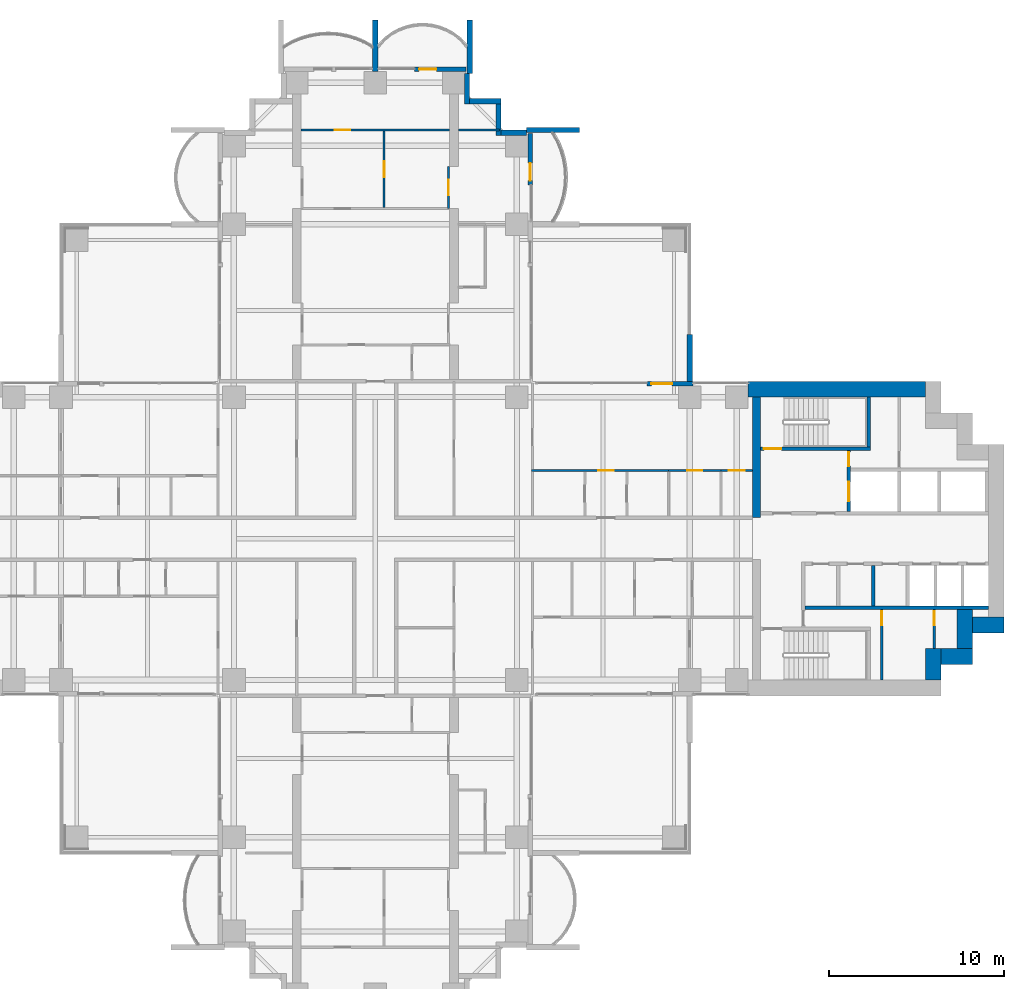
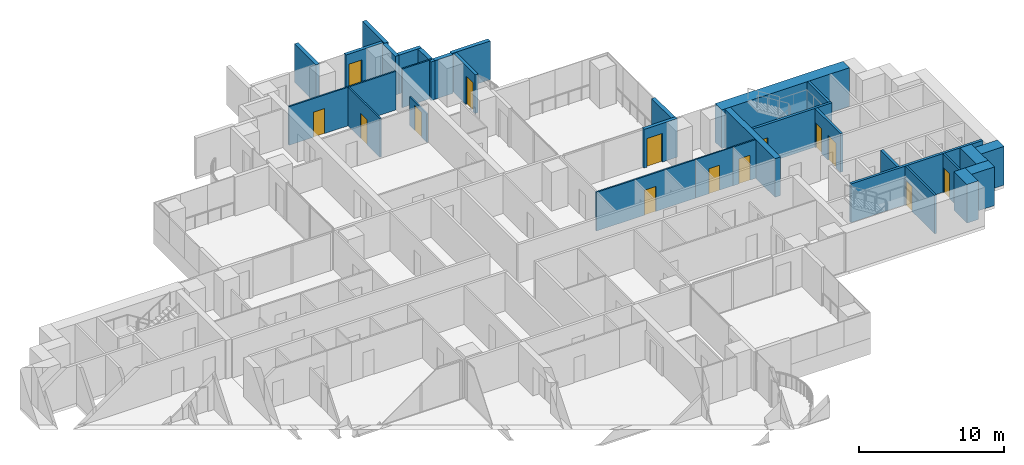
# One storey, part 15 of 20: 31 walls, 14 doors, 14 openings.
"""IFC4 building model written with IfcOpenShell, lengths in metres."""

from ifc_helpers import new_model, si_unit, direction, frame, frame_2d, origin, place, context, subcontext, project, spatial, rectangle, extrude, material, layer, layer_set, type_object, element, fill, save


model = new_model("IFC4")

# Units and contexts
model_context = context("Model", 3, precision=1e-05, world=origin(), true_north=direction((0.0, 1.0)))
body_context = subcontext(model_context, "Body", "Model", "MODEL_VIEW")
ifc_project = project(units=[si_unit("LENGTHUNIT", "METRE"), si_unit("AREAUNIT", "SQUARE_METRE"), si_unit("VOLUMEUNIT", "CUBIC_METRE"), si_unit("PLANEANGLEUNIT", "RADIAN"), si_unit("MASSUNIT", "GRAM", prefix="KILO")], contexts=[model_context])

# Site, building, storey
site_placement = place(None, origin())
site = spatial("IfcSite", under=ifc_project, at=site_placement, CompositionType="ELEMENT")
building_placement = place(site_placement, origin())
building = spatial("IfcBuilding", under=site, at=building_placement, Name="Perihelion Cross Residences", CompositionType="ELEMENT")
storey_placement = place(building_placement, frame((0.0, 0.0, 78.5)))
storey = spatial("IfcBuildingStorey", under=building, at=storey_placement, Name="L17", CompositionType="ELEMENT", Elevation=78.5)

# Wall, opening, door
ifc_material_1 = material(Name="Concrete C30/37, bronze-clad", Category="concrete")
ifc_layer_1 = layer(ifc_material_1, 0.25)
ifc_layer_set_1 = layer_set([ifc_layer_1], Name="Bronze-clad pier wall 250")
wall_type_1 = type_object("IfcWallType", Name="Bronze-clad pier wall 250", PredefinedType="SOLIDWALL", material=ifc_layer_set_1)
wall_1_placement = place(storey_placement, frame((18.199951171875, 8.875, 0.0), z_axis=(0.0, 0.0, 1.0), x_axis=(-1.0, 0.0, 0.0)))
wall_1 = element("IfcWall", 1, at=wall_1_placement, inside=storey, type_object=wall_type_1, Name="Wall FW1 L17 east side north bay 2 pier", PredefinedType="SOLIDWALL", context=body_context, shape_type="SweptSolid", body=[
    extrude(rectangle(XDim=2.64990234375, YDim=0.25, at=frame_2d((1.324951171875, 0.0))), origin(), (0.0, 0.0, 1.0), 3.25),
])
opening_1_placement = place(wall_1_placement, frame((1.199951171875, 0.0, 0.0)))
opening_1 = element("IfcOpeningElement", 2, at=opening_1_placement, cuts=wall_1, Name="Opening L17.E01", PredefinedType="OPENING", context=body_context, shape_type="SweptSolid", body=[
    extrude(rectangle(XDim=1.199951171875, YDim=2.39990234375, at=frame_2d((0.60009765625, 1.199951171875))), frame((0.0, 0.135009765625, 0.0), z_axis=(0.0, -1.0, 0.0), x_axis=(1.0, 0.0, 0.0)), (0.0, 0.0, 1.0), 0.27001953125),
])
ifc_material_2 = material(Name="Bronze anodised aluminium, glazed", Category="aluminium")
door_type_1 = type_object("IfcDoorType", Name="Balcony door 1200 x 2400", OperationType="NOTDEFINED", PredefinedType="DOOR", material=ifc_material_2)
door_1_placement = place(opening_1_placement, origin())
door_1 = element("IfcDoor", 3, at=door_1_placement, inside=storey, type_object=door_type_1, Name="Door L17.E01 east side north bay 2", OperationType="SINGLE_SWING_RIGHT", OverallHeight=2.39990234375, OverallWidth=1.199951171875, PredefinedType="DOOR", context=body_context, shape_type="SweptSolid", body=[
    extrude(rectangle(XDim=1.199951171875, YDim=2.39990234375, at=frame_2d((0.60009765625, 1.199951171875))), frame((0.0, 0.02490234375, 0.0), z_axis=(0.0, -1.0, 0.0), x_axis=(1.0, 0.0, 0.0)), (0.0, 0.0, 1.0), 0.050048828125),
])
fill(opening_1, door_1)

wall_2_placement = place(storey_placement, frame((8.875, 20.25, 0.0), z_axis=(0.0, 0.0, 1.0), x_axis=(0.0, 1.0, 0.0)))
wall_2 = element("IfcWall", 4, at=wall_2_placement, inside=storey, type_object=wall_type_1, Name="Wall FW1 L17 north side east bay 2 pier", PredefinedType="SOLIDWALL", context=body_context, shape_type="SweptSolid", body=[
    extrude(rectangle(XDim=2.949951171875, YDim=0.25, at=frame_2d((1.47509765625, 0.0))), origin(), (0.0, 0.0, 1.0), 3.25),
])
opening_2_placement = place(wall_2_placement, frame((0.25, 0.0, 0.0)))
opening_2 = element("IfcOpeningElement", 5, at=opening_2_placement, cuts=wall_2, Name="Opening L17.E03", PredefinedType="OPENING", context=body_context, shape_type="SweptSolid", body=[
    extrude(rectangle(XDim=1.0, YDim=2.39990234375, at=frame_2d((0.5, 1.199951171875))), frame((0.0, 0.135009765625, 0.0), z_axis=(0.0, -1.0, 0.0), x_axis=(1.0, 0.0, 0.0)), (0.0, 0.0, 1.0), 0.27001953125),
])
ifc_material_3 = material(Name="Bronze anodised aluminium, glazed", Category="aluminium")
door_type_2 = type_object("IfcDoorType", Name="Balcony door 1000 x 2400", OperationType="NOTDEFINED", PredefinedType="DOOR", material=ifc_material_3)
door_2_placement = place(opening_2_placement, origin())
door_2 = element("IfcDoor", 6, at=door_2_placement, inside=storey, type_object=door_type_2, Name="Door L17.E03 north side east bay 2", OperationType="SINGLE_SWING_RIGHT", OverallHeight=2.39990234375, OverallWidth=1.0, PredefinedType="DOOR", context=body_context, shape_type="SweptSolid", body=[
    extrude(rectangle(XDim=1.0, YDim=2.39990234375, at=frame_2d((0.5, 1.199951171875))), frame((0.0, 0.02490234375, 0.0), z_axis=(0.0, -1.0, 0.0), x_axis=(1.0, 0.0, 0.0)), (0.0, 0.0, 1.0), 0.050048828125),
])
fill(opening_2, door_2)

wall_3_placement = place(storey_placement, frame((5.199951171875, 26.875, 0.0), z_axis=(0.0, 0.0, 1.0), x_axis=(-1.0, 0.0, 0.0)))
wall_3 = element("IfcWall", 7, at=wall_3_placement, inside=storey, type_object=wall_type_1, Name="Wall FW1 L17 north tip north bay 1 pier", PredefinedType="SOLIDWALL", context=body_context, shape_type="SweptSolid", body=[
    extrude(rectangle(XDim=2.949951171875, YDim=0.25, at=frame_2d((1.47509765625, 0.0))), origin(), (0.0, 0.0, 1.0), 3.25),
])
opening_3_placement = place(wall_3_placement, frame((1.699951171875, 0.0, 0.0)))
opening_3 = element("IfcOpeningElement", 8, at=opening_3_placement, cuts=wall_3, Name="Opening L17.E04", PredefinedType="OPENING", context=body_context, shape_type="SweptSolid", body=[
    extrude(rectangle(XDim=1.0, YDim=2.39990234375, at=frame_2d((0.5, 1.199951171875))), frame((0.0, 0.135009765625, 0.0), z_axis=(0.0, -1.0, 0.0), x_axis=(1.0, 0.0, 0.0)), (0.0, 0.0, 1.0), 0.27001953125),
])
door_3_placement = place(opening_3_placement, origin())
door_3 = element("IfcDoor", 9, at=door_3_placement, inside=storey, type_object=door_type_2, Name="Door L17.E04 north tip north bay 1", OperationType="SINGLE_SWING_LEFT", OverallHeight=2.39990234375, OverallWidth=1.0, PredefinedType="DOOR", context=body_context, shape_type="SweptSolid", body=[
    extrude(rectangle(XDim=1.0, YDim=2.39990234375, at=frame_2d((0.5, 1.199951171875))), frame((0.0, 0.02490234375, 0.0), z_axis=(0.0, -1.0, 0.0), x_axis=(1.0, 0.0, 0.0)), (0.0, 0.0, 1.0), 0.050048828125),
])
fill(opening_3, door_3)

# Walls
ifc_material_4 = material(Name="Concrete C30/37, bronze-clad", Category="concrete")
ifc_layer_2 = layer(ifc_material_4, 0.300048828125)
ifc_layer_set_2 = layer_set([ifc_layer_2], Name="Bronze-clad serration wall 300")
wall_type_2 = type_object("IfcWallType", Name="Bronze-clad serration wall 300", PredefinedType="SOLIDWALL", material=ifc_layer_set_2)
wall_4_placement = place(storey_placement, frame((8.64990234375, 23.25, 0.0), z_axis=(0.0, 0.0, 1.0), x_axis=(-1.0, 0.0, 0.0)))
element("IfcWall", 10, at=wall_4_placement, inside=storey, type_object=wall_type_2, Name="Wall SR1 L17 north corner north-east 1", PredefinedType="SOLIDWALL", context=body_context, shape_type="SweptSolid", body=[
    extrude(rectangle(XDim=1.449951171875, YDim=0.300048828125, at=frame_2d((0.72509765625, 0.0))), origin(), (0.0, 0.0, 1.0), 3.25),
])
wall_5_placement = place(storey_placement, frame((7.050048828125, 23.10009765625, 0.0), z_axis=(0.0, 0.0, 1.0), x_axis=(0.0, 1.0, 0.0)))
element("IfcWall", 11, at=wall_5_placement, inside=storey, type_object=wall_type_2, Name="Wall SR1 L17 north corner north-east 2", PredefinedType="SOLIDWALL", context=body_context, shape_type="SweptSolid", body=[
    extrude(rectangle(XDim=1.7998046875, YDim=0.300048828125, at=frame_2d((0.89990234375, 0.0))), origin(), (0.0, 0.0, 1.0), 3.25),
])
wall_6_placement = place(storey_placement, frame((7.199951171875, 25.050048828125, 0.0), z_axis=(0.0, 0.0, 1.0), x_axis=(-1.0, 0.0, 0.0)))
element("IfcWall", 12, at=wall_6_placement, inside=storey, type_object=wall_type_2, Name="Wall SR1 L17 north corner north-east 3", PredefinedType="SOLIDWALL", context=body_context, shape_type="SweptSolid", body=[
    extrude(rectangle(XDim=1.800048828125, YDim=0.300048828125, at=frame_2d((0.89990234375, 0.0))), origin(), (0.0, 0.0, 1.0), 3.25),
])
wall_7_placement = place(storey_placement, frame((5.25, 24.89990234375, 0.0), z_axis=(0.0, 0.0, 1.0), x_axis=(0.0, 1.0, 0.0)))
element("IfcWall", 13, at=wall_7_placement, inside=storey, type_object=wall_type_2, Name="Wall SR1 L17 north corner north-east 4", PredefinedType="SOLIDWALL", context=body_context, shape_type="SweptSolid", body=[
    extrude(rectangle(XDim=1.75, YDim=0.300048828125, at=frame_2d((0.875, 0.0))), origin(), (0.0, 0.0, 1.0), 3.25),
])
ifc_material_5 = material(Name="Concrete C60/75", Category="concrete")
ifc_layer_3 = layer(ifc_material_5, 0.449951171875)
ifc_layer_set_3 = layer_set([ifc_layer_3], Name="Core wall, inner 450")
wall_type_3 = type_object("IfcWallType", Name="Core wall, inner 450", PredefinedType="SHEAR", material=ifc_layer_set_3)
wall_8_placement = place(storey_placement, frame((21.824951171875, 1.199951171875, 0.0), z_axis=(0.0, 0.0, 1.0), x_axis=(0.0, 1.0, 0.0)))
element("IfcWall", 14, at=wall_8_placement, inside=storey, type_object=wall_type_3, Name="East core core wall, inner", PredefinedType="SHEAR", context=body_context, shape_type="SweptSolid", body=[
    extrude(rectangle(XDim=6.900146484375, YDim=0.449951171875, at=frame_2d((3.4501953125, 0.0))), origin(), (0.0, 0.0, 1.0), 3.25),
])
ifc_material_6 = material(Name="Concrete C60/75", Category="concrete")
ifc_layer_4 = layer(ifc_material_6, 0.89990234375)
ifc_layer_set_4 = layer_set([ifc_layer_4], Name="Core wall, outer 900")
wall_type_4 = type_object("IfcWallType", Name="Core wall, outer 900", PredefinedType="SHEAR", material=ifc_layer_set_4)
for number, where, z_axis, x_axis, name in (
    (15, (31.949951171875, -8.10009765625, 0.0), (0.0, 0.0, 1.0), (0.0, 1.0, 0.0), "East core core wall, outer"),
    (16, (32.39990234375, -6.75, 0.0), (0.0, 0.0, 1.0), (1.0, 0.0, 0.0), "East core core wall, outer"),
):
    element("IfcWall", number, at=place(storey_placement, frame(where, z_axis=z_axis, x_axis=x_axis)), inside=storey, type_object=wall_type_4, Name=name, PredefinedType="SHEAR", context=body_context, shape_type="SweptSolid", body=[
        extrude(rectangle(XDim=1.800048828125, YDim=0.89990234375, at=frame_2d((0.89990234375, 0.0))), origin(), (0.0, 0.0, 1.0), 3.25),
    ])
wall_9_placement = place(storey_placement, frame((33.75, -6.300048828125, 0.0), z_axis=(0.0, 0.0, 1.0), x_axis=(0.0, 1.0, 0.0)))
element("IfcWall", 17, at=wall_9_placement, inside=storey, type_object=wall_type_4, Name="East core core wall, outer", PredefinedType="SHEAR", context=body_context, shape_type="SweptSolid", body=[
    extrude(rectangle(XDim=2.25, YDim=0.89990234375, at=frame_2d((1.125, 0.0))), origin(), (0.0, 0.0, 1.0), 3.25),
])
wall_10_placement = place(storey_placement, frame((34.199951171875, -4.949951171875, 0.0), z_axis=(0.0, 0.0, 1.0), x_axis=(1.0, 0.0, 0.0)))
element("IfcWall", 18, at=wall_10_placement, inside=storey, type_object=wall_type_4, Name="East core core wall, outer", PredefinedType="SHEAR", context=body_context, shape_type="SweptSolid", body=[
    extrude(rectangle(XDim=1.800048828125, YDim=0.89990234375, at=frame_2d((0.89990234375, 0.0))), origin(), (0.0, 0.0, 1.0), 3.25),
])
wall_11_placement = place(storey_placement, frame((21.35009765625, 8.550048828125, 0.0), z_axis=(0.0, 0.0, 1.0), x_axis=(1.0, 0.0, 0.0)))
element("IfcWall", 19, at=wall_11_placement, inside=storey, type_object=wall_type_4, Name="East core core wall, outer", PredefinedType="SHEAR", context=body_context, shape_type="SweptSolid", body=[
    extrude(rectangle(XDim=10.14990234375, YDim=0.89990234375, at=frame_2d((5.074951171875, 0.0))), origin(), (0.0, 0.0, 1.0), 3.25),
])

# Wall, opening, door
ifc_material_7 = material(Name="Plasterboard partition")
ifc_layer_5 = layer(ifc_material_7, 0.1201171875)
ifc_layer_set_5 = layer_set([ifc_layer_5], Name="Infill panel 120")
wall_type_5 = type_object("IfcWallType", Name="Infill panel 120", PredefinedType="PARTITIONING", material=ifc_layer_set_5)
wall_12_placement = place(storey_placement, frame((4.18994140625, 18.89990234375, 0.0), z_axis=(0.0, 0.0, 1.0), x_axis=(0.0, 1.0, 0.0)))
wall_12 = element("IfcWall", 20, at=wall_12_placement, inside=storey, type_object=wall_type_5, Name="Partition L17 WI02", PredefinedType="PARTITIONING", context=body_context, shape_type="SweptSolid", body=[
    extrude(rectangle(XDim=2.400146484375, YDim=0.1201171875, at=frame_2d((1.2001953125, 0.0))), origin(), (0.0, 0.0, 1.0), 2.39990234375),
])
opening_4_placement = place(wall_12_placement, frame((0.75, 0.0, 0.0)))
opening_4 = element("IfcOpeningElement", 21, at=opening_4_placement, cuts=wall_12, Name="Opening L17.A50", PredefinedType="OPENING", context=body_context, shape_type="SweptSolid", body=[
    extrude(rectangle(XDim=0.89990234375, YDim=2.10009765625, at=frame_2d((0.449951171875, 1.050048828125))), frame((0.0, 0.070068359375, 0.0), z_axis=(0.0, -1.0, 0.0), x_axis=(1.0, 0.0, 0.0)), (0.0, 0.0, 1.0), 0.14013671875),
])
ifc_material_8 = material(Name="Timber door leaf", Category="wood")
door_type_3 = type_object("IfcDoorType", Name="Interior room door 900 x 2100", OperationType="SINGLE_SWING_LEFT", PredefinedType="DOOR", material=ifc_material_8)
door_4_placement = place(opening_4_placement, origin())
door_4 = element("IfcDoor", 22, at=door_4_placement, inside=storey, type_object=door_type_3, Name="Door L17.A50", OperationType="SINGLE_SWING_RIGHT", OverallHeight=2.10009765625, OverallWidth=0.89990234375, PredefinedType="DOOR", context=body_context, shape_type="SweptSolid", body=[
    extrude(rectangle(XDim=0.89990234375, YDim=2.10009765625, at=frame_2d((0.449951171875, 1.050048828125))), frame((0.0, 0.02490234375, 0.0), z_axis=(0.0, -1.0, 0.0), x_axis=(1.0, 0.0, 0.0)), (0.0, 0.0, 1.0), 0.050048828125),
])
fill(opening_4, door_4)

ifc_material_9 = material(Name="Plasterboard partition")
ifc_layer_6 = layer(ifc_material_9, 0.1201171875)
ifc_layer_set_6 = layer_set([ifc_layer_6], Name="Partition wall 120")
wall_type_6 = type_object("IfcWallType", Name="Partition wall 120", PredefinedType="PARTITIONING", material=ifc_layer_set_6)
wall_13_placement = place(storey_placement, frame((8.93994140625, 3.89990234375, 0.0), z_axis=(0.0, 0.0, 1.0), x_axis=(1.0, 0.0, 0.0)))
wall_13 = element("IfcWall", 23, at=wall_13_placement, inside=storey, type_object=wall_type_6, Name="Partition L17 W012", PredefinedType="PARTITIONING", context=body_context, shape_type="SweptSolid", body=[
    extrude(rectangle(XDim=7.860107421875, YDim=0.1201171875, at=frame_2d((3.93017578125, 0.0))), origin(), (0.0, 0.0, 1.0), 3.25),
])
opening_5_placement = place(wall_13_placement, frame((3.81005859375, 0.0, 0.0)))
opening_5 = element("IfcOpeningElement", 24, at=opening_5_placement, cuts=wall_13, Name="Opening L17.A05", PredefinedType="OPENING", context=body_context, shape_type="SweptSolid", body=[
    extrude(rectangle(XDim=0.89990234375, YDim=2.10009765625, at=frame_2d((0.449951171875, 1.050048828125))), frame((0.0, 0.070068359375, 0.0), z_axis=(0.0, -1.0, 0.0), x_axis=(1.0, 0.0, 0.0)), (0.0, 0.0, 1.0), 0.14013671875),
])
door_5_placement = place(opening_5_placement, origin())
door_5 = element("IfcDoor", 25, at=door_5_placement, inside=storey, type_object=door_type_3, Name="Door L17.A05", OperationType="SINGLE_SWING_RIGHT", OverallHeight=2.10009765625, OverallWidth=0.89990234375, PredefinedType="DOOR", context=body_context, shape_type="SweptSolid", body=[
    extrude(rectangle(XDim=0.89990234375, YDim=2.10009765625, at=frame_2d((0.449951171875, 1.050048828125))), frame((0.0, 0.02490234375, 0.0), z_axis=(0.0, -1.0, 0.0), x_axis=(1.0, 0.0, 0.0)), (0.0, 0.0, 1.0), 0.050048828125),
])
fill(opening_5, door_5)

wall_14_placement = place(storey_placement, frame((19.800048828125, 3.89990234375, 0.0), z_axis=(0.0, 0.0, 1.0), x_axis=(1.0, 0.0, 0.0)))
wall_14 = element("IfcWall", 26, at=wall_14_placement, inside=storey, type_object=wall_type_6, Name="Partition L17 W018", PredefinedType="PARTITIONING", context=body_context, shape_type="SweptSolid", body=[
    extrude(rectangle(XDim=1.800048828125, YDim=0.1201171875, at=frame_2d((0.89990234375, 0.0))), origin(), (0.0, 0.0, 1.0), 3.25),
])
opening_6_placement = place(wall_14_placement, frame((0.449951171875, 0.0, 0.0)))
opening_6 = element("IfcOpeningElement", 27, at=opening_6_placement, cuts=wall_14, Name="Opening L17.A04", PredefinedType="OPENING", context=body_context, shape_type="SweptSolid", body=[
    extrude(rectangle(XDim=0.89990234375, YDim=2.10009765625, at=frame_2d((0.449951171875, 1.050048828125))), frame((0.0, 0.070068359375, 0.0), z_axis=(0.0, -1.0, 0.0), x_axis=(1.0, 0.0, 0.0)), (0.0, 0.0, 1.0), 0.14013671875),
])
door_6_placement = place(opening_6_placement, origin())
door_6 = element("IfcDoor", 28, at=door_6_placement, inside=storey, type_object=door_type_3, Name="Door L17.A04", OperationType="SINGLE_SWING_LEFT", OverallHeight=2.10009765625, OverallWidth=0.89990234375, PredefinedType="DOOR", context=body_context, shape_type="SweptSolid", body=[
    extrude(rectangle(XDim=0.89990234375, YDim=2.10009765625, at=frame_2d((0.449951171875, 1.050048828125))), frame((0.0, 0.02490234375, 0.0), z_axis=(0.0, -1.0, 0.0), x_axis=(1.0, 0.0, 0.0)), (0.0, 0.0, 1.0), 0.050048828125),
])
fill(opening_6, door_6)

wall_15_placement = place(storey_placement, frame((0.5, 23.340087890625, 0.0), z_axis=(0.0, 0.0, 1.0), x_axis=(0.0, -1.0, 0.0)))
wall_15 = element("IfcWall", 29, at=wall_15_placement, inside=storey, type_object=wall_type_6, Name="Partition L17 W052", PredefinedType="PARTITIONING", context=body_context, shape_type="SweptSolid", body=[
    extrude(rectangle(XDim=4.380126953125, YDim=0.1201171875, at=frame_2d((2.18994140625, 0.0))), origin(), (0.0, 0.0, 1.0), 3.25),
])
opening_7_placement = place(wall_15_placement, frame((1.739990234375, 0.0, 0.0)))
opening_7 = element("IfcOpeningElement", 30, at=opening_7_placement, cuts=wall_15, Name="Opening L17.A35", PredefinedType="OPENING", context=body_context, shape_type="SweptSolid", body=[
    extrude(rectangle(XDim=0.89990234375, YDim=2.10009765625, at=frame_2d((0.449951171875, 1.050048828125))), frame((0.0, 0.070068359375, 0.0), z_axis=(0.0, -1.0, 0.0), x_axis=(1.0, 0.0, 0.0)), (0.0, 0.0, 1.0), 0.14013671875),
])
door_7_placement = place(opening_7_placement, origin())
door_7 = element("IfcDoor", 31, at=door_7_placement, inside=storey, type_object=door_type_3, Name="Door L17.A35", OperationType="SINGLE_SWING_RIGHT", OverallHeight=2.10009765625, OverallWidth=0.89990234375, PredefinedType="DOOR", context=body_context, shape_type="SweptSolid", body=[
    extrude(rectangle(XDim=0.89990234375, YDim=2.10009765625, at=frame_2d((0.449951171875, 1.050048828125))), frame((0.0, 0.02490234375, 0.0), z_axis=(0.0, -1.0, 0.0), x_axis=(1.0, 0.0, 0.0)), (0.0, 0.0, 1.0), 0.050048828125),
])
fill(opening_7, door_7)

wall_16_placement = place(storey_placement, frame((-4.25, 23.39990234375, 0.0), z_axis=(0.0, 0.0, 1.0), x_axis=(1.0, 0.0, 0.0)))
wall_16 = element("IfcWall", 32, at=wall_16_placement, inside=storey, type_object=wall_type_6, Name="Partition L17 W053", PredefinedType="PARTITIONING", context=body_context, shape_type="SweptSolid", body=[
    extrude(rectangle(XDim=8.5, YDim=0.1201171875, at=frame_2d((4.25, 0.0))), origin(), (0.0, 0.0, 1.0), 3.25),
])
opening_8_placement = place(wall_16_placement, frame((1.925048828125, 0.0, 0.0)))
opening_8 = element("IfcOpeningElement", 33, at=opening_8_placement, cuts=wall_16, Name="Opening L17.A36", PredefinedType="OPENING", context=body_context, shape_type="SweptSolid", body=[
    extrude(rectangle(XDim=0.89990234375, YDim=2.10009765625, at=frame_2d((0.449951171875, 1.050048828125))), frame((0.0, 0.070068359375, 0.0), z_axis=(0.0, -1.0, 0.0), x_axis=(1.0, 0.0, 0.0)), (0.0, 0.0, 1.0), 0.14013671875),
])
door_8_placement = place(opening_8_placement, origin())
door_8 = element("IfcDoor", 34, at=door_8_placement, inside=storey, type_object=door_type_3, Name="Door L17.A36", OperationType="SINGLE_SWING_RIGHT", OverallHeight=2.10009765625, OverallWidth=0.89990234375, PredefinedType="DOOR", context=body_context, shape_type="SweptSolid", body=[
    extrude(rectangle(XDim=0.89990234375, YDim=2.10009765625, at=frame_2d((0.449951171875, 1.050048828125))), frame((0.0, 0.02490234375, 0.0), z_axis=(0.0, -1.0, 0.0), x_axis=(1.0, 0.0, 0.0)), (0.0, 0.0, 1.0), 0.050048828125),
])
fill(opening_8, door_8)

# Walls
wall_17_placement = place(storey_placement, frame((4.75, 23.39990234375, 0.0), z_axis=(0.0, 0.0, 1.0), x_axis=(1.0, 0.0, 0.0)))
element("IfcWall", 35, at=wall_17_placement, inside=storey, type_object=wall_type_6, Name="Partition L17 W058", PredefinedType="PARTITIONING", context=body_context, shape_type="SweptSolid", body=[
    extrude(rectangle(XDim=2.3701171875, YDim=0.1201171875, at=frame_2d((1.18505859375, 0.0))), origin(), (0.0, 0.0, 1.0), 3.25),
])
ifc_material_10 = material(Name="Precast concrete C50/60", Category="concrete")
ifc_layer_7 = layer(ifc_material_10, 0.300048828125)
ifc_layer_set_7 = layer_set([ifc_layer_7], Name="Precast concrete C50/60 blade wall 300")
wall_type_7 = type_object("IfcWallType", Name="Precast concrete C50/60 blade wall 300", PredefinedType="SOLIDWALL", material=ifc_layer_set_7)
wall_18_placement = place(storey_placement, frame((0.0, 26.75, 0.0), z_axis=(0.0, 0.0, 1.0), x_axis=(0.0, 1.0, 0.0)))
element("IfcWall", 36, at=wall_18_placement, inside=storey, type_object=wall_type_7, Name="Wall BL1 L17 no. 10", PredefinedType="SOLIDWALL", context=body_context, shape_type="SweptSolid", body=[
    extrude(rectangle(XDim=2.949951171875, YDim=0.300048828125, at=frame_2d((1.47509765625, 0.0))), origin(), (0.0, 0.0, 1.0), 3.25),
])
for number, where, z_axis, x_axis, name in (
    (37, (5.39990234375, 26.64990234375, 0.0), (0.0, 0.0, 1.0), (0.0, 1.0, 0.0), "Wall BL1 L17 no. 14"),
    (38, (8.64990234375, 23.39990234375, 0.0), (0.0, 0.0, 1.0), (1.0, 0.0, 0.0), "Wall BL1 L17 no. 18"),
):
    element("IfcWall", number, at=place(storey_placement, frame(where, z_axis=z_axis, x_axis=x_axis)), inside=storey, type_object=wall_type_7, Name=name, PredefinedType="SOLIDWALL", context=body_context, shape_type="SweptSolid", body=[
        extrude(rectangle(XDim=3.050048828125, YDim=0.300048828125, at=frame_2d((1.52490234375, 0.0))), origin(), (0.0, 0.0, 1.0), 3.25),
    ])
wall_19_placement = place(storey_placement, frame((18.0, 8.75, 0.0), z_axis=(0.0, 0.0, 1.0), x_axis=(0.0, 1.0, 0.0)))
element("IfcWall", 39, at=wall_19_placement, inside=storey, type_object=wall_type_7, Name="Wall BL1 L17 no. 12", PredefinedType="SOLIDWALL", context=body_context, shape_type="SweptSolid", body=[
    extrude(rectangle(XDim=2.949951171875, YDim=0.300048828125, at=frame_2d((1.47509765625, 0.0))), origin(), (0.0, 0.0, 1.0), 3.25),
])

# Wall, opening, door
ifc_material_11 = material(Name="Fire-rated board on steel stud", Category="steel")
ifc_layer_8 = layer(ifc_material_11, 0.14990234375)
ifc_layer_set_8 = layer_set([ifc_layer_8], Name="Riser wall 150")
wall_type_8 = type_object("IfcWallType", Name="Riser wall 150", PredefinedType="PARTITIONING", material=ifc_layer_set_8)
wall_20_placement = place(storey_placement, frame((29.0, -8.10009765625, 0.0), z_axis=(0.0, 0.0, 1.0), x_axis=(0.0, 1.0, 0.0)))
wall_20 = element("IfcWall", 40, at=wall_20_placement, inside=storey, type_object=wall_type_8, Name="East core riser wall", PredefinedType="PARTITIONING", context=body_context, shape_type="SweptSolid", body=[
    extrude(rectangle(XDim=4.050048828125, YDim=0.14990234375, at=frame_2d((2.02490234375, 0.0))), origin(), (0.0, 0.0, 1.0), 3.25),
])
opening_9_placement = place(wall_20_placement, frame((3.14990234375, 0.0, 0.0)))
opening_9 = element("IfcOpeningElement", 41, at=opening_9_placement, cuts=wall_20, Name="Opening L17.C13", PredefinedType="OPENING", context=body_context, shape_type="SweptSolid", body=[
    extrude(rectangle(XDim=0.800048828125, YDim=2.10009765625, at=frame_2d((0.39990234375, 1.050048828125))), frame((0.0, 0.0849609375, 0.0), z_axis=(0.0, -1.0, 0.0), x_axis=(1.0, 0.0, 0.0)), (0.0, 0.0, 1.0), 0.169921875),
])
ifc_material_12 = material(Name="Steel, powder coated", Category="steel")
door_type_4 = type_object("IfcDoorType", Name="Riser door 800", OperationType="SINGLE_SWING_LEFT", PredefinedType="DOOR", material=ifc_material_12)
door_9_placement = place(opening_9_placement, origin())
door_9 = element("IfcDoor", 42, at=door_9_placement, inside=storey, type_object=door_type_4, Name="East core riser door", OperationType="SINGLE_SWING_LEFT", OverallHeight=2.10009765625, OverallWidth=0.800048828125, PredefinedType="DOOR", context=body_context, shape_type="SweptSolid", body=[
    extrude(rectangle(XDim=0.800048828125, YDim=2.10009765625, at=frame_2d((0.39990234375, 1.050048828125))), frame((0.0, 0.02490234375, 0.0), z_axis=(0.0, -1.0, 0.0), x_axis=(1.0, 0.0, 0.0)), (0.0, 0.0, 1.0), 0.050048828125),
])
fill(opening_9, door_9)

wall_21_placement = place(storey_placement, frame((32.0, -6.300048828125, 0.0), z_axis=(0.0, 0.0, 1.0), x_axis=(0.0, 1.0, 0.0)))
wall_21 = element("IfcWall", 43, at=wall_21_placement, inside=storey, type_object=wall_type_8, Name="East core riser wall", PredefinedType="PARTITIONING", context=body_context, shape_type="SweptSolid", body=[
    extrude(rectangle(XDim=2.25, YDim=0.14990234375, at=frame_2d((1.125, 0.0))), origin(), (0.0, 0.0, 1.0), 3.25),
])
opening_10_placement = place(wall_21_placement, frame((1.35009765625, 0.0, 0.0)))
opening_10 = element("IfcOpeningElement", 44, at=opening_10_placement, cuts=wall_21, Name="Opening L17.C16", PredefinedType="OPENING", context=body_context, shape_type="SweptSolid", body=[
    extrude(rectangle(XDim=0.800048828125, YDim=2.10009765625, at=frame_2d((0.39990234375, 1.050048828125))), frame((0.0, 0.0849609375, 0.0), z_axis=(0.0, -1.0, 0.0), x_axis=(1.0, 0.0, 0.0)), (0.0, 0.0, 1.0), 0.169921875),
])
door_10_placement = place(opening_10_placement, origin())
door_10 = element("IfcDoor", 45, at=door_10_placement, inside=storey, type_object=door_type_4, Name="East core riser door", OperationType="SINGLE_SWING_LEFT", OverallHeight=2.10009765625, OverallWidth=0.800048828125, PredefinedType="DOOR", context=body_context, shape_type="SweptSolid", body=[
    extrude(rectangle(XDim=0.800048828125, YDim=2.10009765625, at=frame_2d((0.39990234375, 1.050048828125))), frame((0.0, 0.02490234375, 0.0), z_axis=(0.0, -1.0, 0.0), x_axis=(1.0, 0.0, 0.0)), (0.0, 0.0, 1.0), 0.050048828125),
])
fill(opening_10, door_10)

# Walls
ifc_material_13 = material(Name="Fire-rated board on steel stud", Category="steel")
ifc_layer_9 = layer(ifc_material_13, 0.199951171875)
ifc_layer_set_9 = layer_set([ifc_layer_9], Name="Riser wall 200")
wall_type_9 = type_object("IfcWallType", Name="Riser wall 200", PredefinedType="PARTITIONING", material=ifc_layer_set_9)
wall_22_placement = place(storey_placement, frame((28.5, -3.85009765625, 0.0), z_axis=(0.0, 0.0, 1.0), x_axis=(0.0, 1.0, 0.0)))
element("IfcWall", 46, at=wall_22_placement, inside=storey, type_object=wall_type_9, Name="East core riser wall", PredefinedType="PARTITIONING", context=body_context, shape_type="SweptSolid", body=[
    extrude(rectangle(XDim=2.300048828125, YDim=0.199951171875, at=frame_2d((1.14990234375, 0.0))), origin(), (0.0, 0.0, 1.0), 3.25),
])
ifc_material_14 = material(Name="Concrete C50/60", Category="concrete")
ifc_layer_10 = layer(ifc_material_14, 0.199951171875)
ifc_layer_set_10 = layer_set([ifc_layer_10], Name="Shaft wall 200")
wall_type_10 = type_object("IfcWallType", Name="Shaft wall 200", PredefinedType="SOLIDWALL", material=ifc_layer_set_10)
wall_23_placement = place(storey_placement, frame((24.60009765625, -3.949951171875, 0.0), z_axis=(0.0, 0.0, 1.0), x_axis=(1.0, 0.0, 0.0)))
element("IfcWall", 47, at=wall_23_placement, inside=storey, type_object=wall_type_10, Name="East core shaft wall", PredefinedType="SOLIDWALL", context=body_context, shape_type="SweptSolid", body=[
    extrude(rectangle(XDim=10.5, YDim=0.199951171875, at=frame_2d((5.25, 0.0))), origin(), (0.0, 0.0, 1.0), 3.25),
])

# Wall, openings, doors
wall_24_placement = place(storey_placement, frame((27.10009765625, 1.550048828125, 0.0), z_axis=(0.0, 0.0, 1.0), x_axis=(0.0, 1.0, 0.0)))
wall_24 = element("IfcWall", 48, at=wall_24_placement, inside=storey, type_object=wall_type_10, Name="East core shaft wall", PredefinedType="SOLIDWALL", context=body_context, shape_type="SweptSolid", body=[
    extrude(rectangle(XDim=3.5, YDim=0.199951171875, at=frame_2d((1.75, 0.0))), origin(), (0.0, 0.0, 1.0), 3.25),
])
opening_11_placement = place(wall_24_placement, frame((0.60009765625, 0.0, 0.0)))
opening_11 = element("IfcOpeningElement", 49, at=opening_11_placement, cuts=wall_24, Name="Opening L17.C01", PredefinedType="OPENING", context=body_context, shape_type="SweptSolid", body=[
    extrude(rectangle(XDim=1.10009765625, YDim=2.10009765625, at=frame_2d((0.550048828125, 1.050048828125))), frame((0.0, 0.10986328125, 0.0), z_axis=(0.0, -1.0, 0.0), x_axis=(1.0, 0.0, 0.0)), (0.0, 0.0, 1.0), 0.219970703125),
])
opening_12_placement = place(wall_24_placement, frame((2.60009765625, 0.0, 0.0)))
opening_12 = element("IfcOpeningElement", 50, at=opening_12_placement, cuts=wall_24, Name="Opening L17.C11", PredefinedType="OPENING", context=body_context, shape_type="SweptSolid", body=[
    extrude(rectangle(XDim=0.800048828125, YDim=2.10009765625, at=frame_2d((0.39990234375, 1.050048828125))), frame((0.0, 0.10986328125, 0.0), z_axis=(0.0, -1.0, 0.0), x_axis=(1.0, 0.0, 0.0)), (0.0, 0.0, 1.0), 0.219970703125),
])
ifc_material_15 = material(Name="Stainless steel", Category="steel")
door_type_5 = type_object("IfcDoorType", Name="Landing door, firefighting lift 1100", OperationType="DOUBLE_DOOR_SLIDING", PredefinedType="DOOR", material=ifc_material_15)
door_11_placement = place(opening_11_placement, origin())
door_11 = element("IfcDoor", 51, at=door_11_placement, inside=storey, type_object=door_type_5, Name="Landing door, East core firefighting and service lift", OperationType="DOUBLE_DOOR_SLIDING", OverallHeight=2.10009765625, OverallWidth=1.10009765625, PredefinedType="DOOR", context=body_context, shape_type="SweptSolid", body=[
    extrude(rectangle(XDim=1.10009765625, YDim=2.10009765625, at=frame_2d((0.550048828125, 1.050048828125))), frame((0.0, 0.02490234375, 0.0), z_axis=(0.0, -1.0, 0.0), x_axis=(1.0, 0.0, 0.0)), (0.0, 0.0, 1.0), 0.050048828125),
])
fill(opening_11, door_11)
door_12_placement = place(opening_12_placement, origin())
door_12 = element("IfcDoor", 52, at=door_12_placement, inside=storey, type_object=door_type_4, Name="East core riser door", OperationType="SINGLE_SWING_LEFT", OverallHeight=2.10009765625, OverallWidth=0.800048828125, PredefinedType="DOOR", context=body_context, shape_type="SweptSolid", body=[
    extrude(rectangle(XDim=0.800048828125, YDim=2.10009765625, at=frame_2d((0.39990234375, 1.050048828125))), frame((0.0, 0.02490234375, 0.0), z_axis=(0.0, -1.0, 0.0), x_axis=(1.0, 0.0, 0.0)), (0.0, 0.0, 1.0), 0.050048828125),
])
fill(opening_12, door_12)

# Wall, opening, door
ifc_material_16 = material(Name="Concrete C50/60", Category="concrete")
ifc_layer_11 = layer(ifc_material_16, 0.199951171875)
ifc_layer_set_11 = layer_set([ifc_layer_11], Name="Stair wall 200")
wall_type_11 = type_object("IfcWallType", Name="Stair wall 200", PredefinedType="SOLIDWALL", material=ifc_layer_set_11)
wall_25_placement = place(storey_placement, frame((22.050048828125, 5.14990234375, 0.0), z_axis=(0.0, 0.0, 1.0), x_axis=(1.0, 0.0, 0.0)))
wall_25 = element("IfcWall", 53, at=wall_25_placement, inside=storey, type_object=wall_type_11, Name="East core stair wall", PredefinedType="SOLIDWALL", context=body_context, shape_type="SweptSolid", body=[
    extrude(rectangle(XDim=6.300048828125, YDim=0.199951171875, at=frame_2d((3.14990234375, 0.0))), origin(), (0.0, 0.0, 1.0), 3.25),
])
opening_13_placement = place(wall_25_placement, frame((0.199951171875, 0.0, 0.0)))
opening_13 = element("IfcOpeningElement", 54, at=opening_13_placement, cuts=wall_25, Name="Opening L17.C06", PredefinedType="OPENING", context=body_context, shape_type="SweptSolid", body=[
    extrude(rectangle(XDim=1.0, YDim=2.10009765625, at=frame_2d((0.5, 1.050048828125))), frame((0.0, 0.10986328125, 0.0), z_axis=(0.0, -1.0, 0.0), x_axis=(1.0, 0.0, 0.0)), (0.0, 0.0, 1.0), 0.219970703125),
])
ifc_material_17 = material(Name="Steel, powder coated", Category="steel")
door_type_6 = type_object("IfcDoorType", Name="Stair door 1000", OperationType="SINGLE_SWING_LEFT", PredefinedType="DOOR", material=ifc_material_17)
door_13_placement = place(opening_13_placement, origin())
door_13 = element("IfcDoor", 55, at=door_13_placement, inside=storey, type_object=door_type_6, Name="East core stair door", OperationType="SINGLE_SWING_LEFT", OverallHeight=2.10009765625, OverallWidth=1.0, PredefinedType="DOOR", context=body_context, shape_type="SweptSolid", body=[
    extrude(rectangle(XDim=1.0, YDim=2.10009765625, at=frame_2d((0.5, 1.050048828125))), frame((0.0, 0.02490234375, 0.0), z_axis=(0.0, -1.0, 0.0), x_axis=(1.0, 0.0, 0.0)), (0.0, 0.0, 1.0), 0.050048828125),
])
fill(opening_13, door_13)

# Wall
wall_26_placement = place(storey_placement, frame((28.25, 5.25, 0.0), z_axis=(0.0, 0.0, 1.0), x_axis=(0.0, 1.0, 0.0)))
element("IfcWall", 56, at=wall_26_placement, inside=storey, type_object=wall_type_11, Name="East core stair wall", PredefinedType="SOLIDWALL", context=body_context, shape_type="SweptSolid", body=[
    extrude(rectangle(XDim=2.85009765625, YDim=0.199951171875, at=frame_2d((1.425048828125, 0.0))), origin(), (0.0, 0.0, 1.0), 3.25),
])

# Wall, opening, door
ifc_material_18 = material(Name="Plasterboard partition")
ifc_layer_12 = layer(ifc_material_18, 0.10009765625)
ifc_layer_set_12 = layer_set([ifc_layer_12], Name="Wet room wall 100")
wall_type_12 = type_object("IfcWallType", Name="Wet room wall 100", PredefinedType="PARTITIONING", material=ifc_layer_set_12)
wall_27_placement = place(storey_placement, frame((16.800048828125, 3.89990234375, 0.0), z_axis=(0.0, 0.0, 1.0), x_axis=(1.0, 0.0, 0.0)))
wall_27 = element("IfcWall", 57, at=wall_27_placement, inside=storey, type_object=wall_type_12, Name="Partition L17 W017", PredefinedType="PARTITIONING", context=body_context, shape_type="SweptSolid", body=[
    extrude(rectangle(XDim=3.0, YDim=0.10009765625, at=frame_2d((1.5, 0.0))), origin(), (0.0, 0.0, 1.0), 3.25),
])
opening_14_placement = place(wall_27_placement, frame((1.074951171875, 0.0, 0.0)))
opening_14 = element("IfcOpeningElement", 58, at=opening_14_placement, cuts=wall_27, Name="Opening L17.A01", PredefinedType="OPENING", context=body_context, shape_type="SweptSolid", body=[
    extrude(rectangle(XDim=0.85009765625, YDim=2.10009765625, at=frame_2d((0.425048828125, 1.050048828125))), frame((0.0, 0.06005859375, 0.0), z_axis=(0.0, -1.0, 0.0), x_axis=(1.0, 0.0, 0.0)), (0.0, 0.0, 1.0), 0.1201171875),
])
ifc_material_19 = material(Name="Timber door leaf", Category="wood")
door_type_7 = type_object("IfcDoorType", Name="Interior bathroom door 850 x 2100", OperationType="SINGLE_SWING_LEFT", PredefinedType="DOOR", material=ifc_material_19)
door_14_placement = place(opening_14_placement, origin())
door_14 = element("IfcDoor", 59, at=door_14_placement, inside=storey, type_object=door_type_7, Name="Door L17.A01", OperationType="SINGLE_SWING_RIGHT", OverallHeight=2.10009765625, OverallWidth=0.85009765625, PredefinedType="DOOR", context=body_context, shape_type="SweptSolid", body=[
    extrude(rectangle(XDim=0.85009765625, YDim=2.10009765625, at=frame_2d((0.425048828125, 1.050048828125))), frame((0.0, 0.02490234375, 0.0), z_axis=(0.0, -1.0, 0.0), x_axis=(1.0, 0.0, 0.0)), (0.0, 0.0, 1.0), 0.050048828125),
])
fill(opening_14, door_14)

save(model, "model.ifc")
